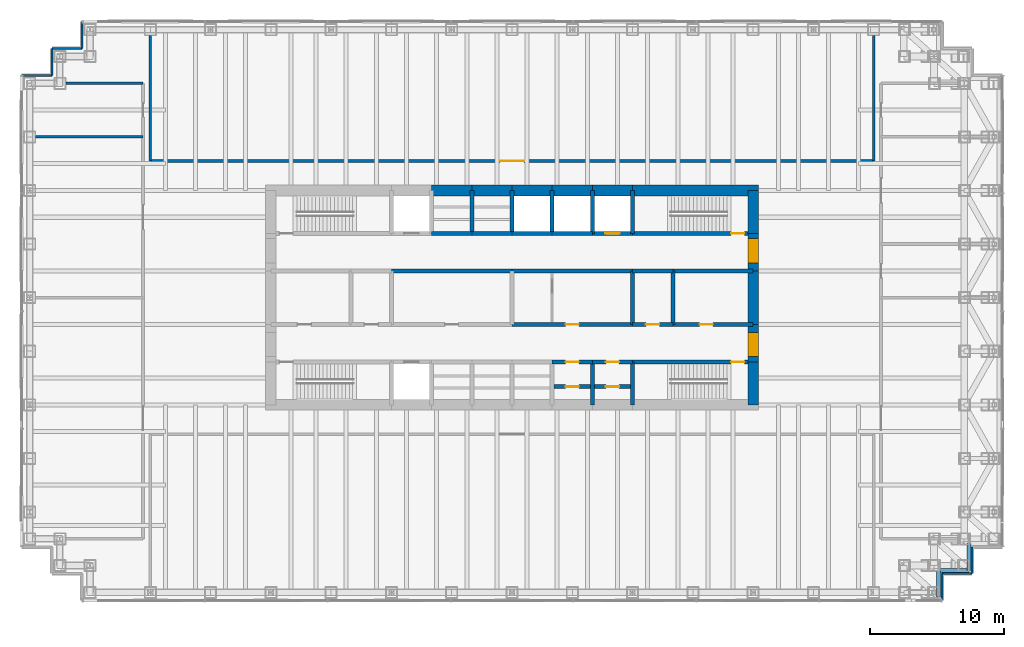
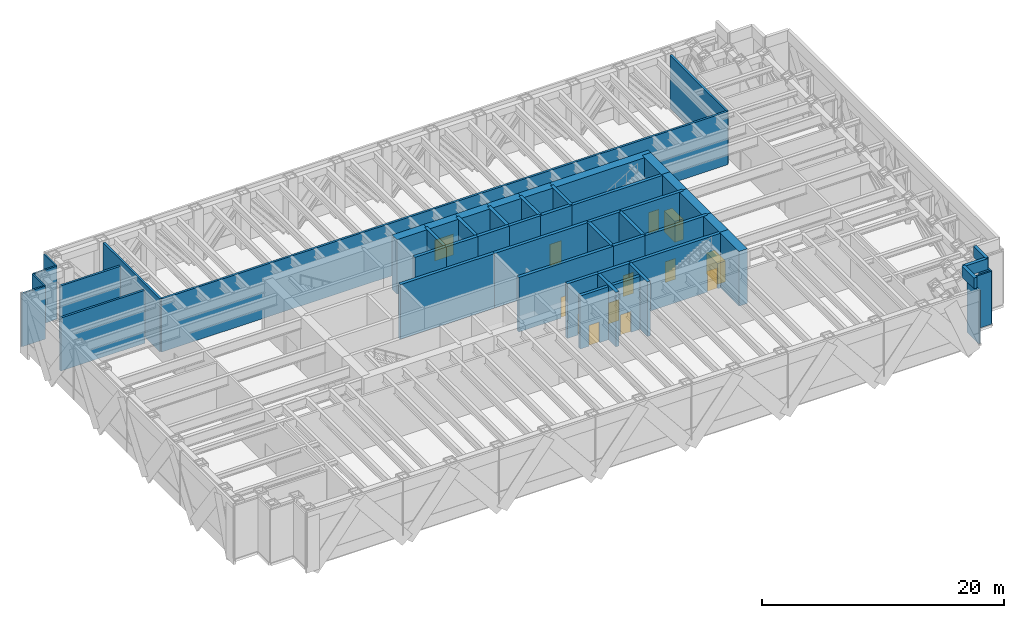
# One storey, part 15 of 17: 53 walls, 13 doors, 13 openings.
"""IFC4 building model written with IfcOpenShell, lengths in metres."""

from ifc_helpers import new_model, si_unit, direction, frame, frame_2d, origin, place, context, subcontext, project, spatial, rectangle, extrude, material, layer, layer_set, type_object, element, fill, save


model = new_model("IFC4")

# Units and contexts
model_context = context("Model", 3, precision=1e-05, world=origin(), true_north=direction((0.0, 1.0)))
body_context = subcontext(model_context, "Body", "Model", "MODEL_VIEW")
ifc_project = project(units=[si_unit("LENGTHUNIT", "METRE"), si_unit("AREAUNIT", "SQUARE_METRE"), si_unit("VOLUMEUNIT", "CUBIC_METRE"), si_unit("PLANEANGLEUNIT", "RADIAN"), si_unit("MASSUNIT", "GRAM", prefix="KILO")], contexts=[model_context])

# Site, building, storey
site_placement = place(None, origin())
site = spatial("IfcSite", under=ifc_project, at=site_placement, CompositionType="ELEMENT")
building_placement = place(site_placement, origin())
building = spatial("IfcBuilding", under=site, at=building_placement, Name="Rheinbord Bourse Tower", CompositionType="ELEMENT")
storey_placement = place(building_placement, frame((0.0, 0.0, 265.60009765625)))
storey = spatial("IfcBuildingStorey", under=building, at=storey_placement, Name="L60", CompositionType="ELEMENT", Elevation=265.60009765625)

# Wall, opening, door
ifc_material_1 = material(Name="Concrete C50/60", Category="concrete")
ifc_layer_1 = layer(ifc_material_1, 0.300048828125)
ifc_layer_set_1 = layer_set([ifc_layer_1], Name="CORE INNER WALL 300")
wall_type_1 = type_object("IfcWallType", Name="CORE INNER WALL 300", PredefinedType="SOLIDWALL", material=ifc_layer_set_1)
wall_1_placement = place(storey_placement, frame((39.0, 19.199951171875, 0.0), z_axis=(0.0, 0.0, 1.0), x_axis=(1.0, 0.0, 0.0)))
wall_1 = element("IfcWall", 1, at=wall_1_placement, inside=storey, type_object=wall_type_1, Name="Core wall A6 L60", PredefinedType="SOLIDWALL", context=body_context, shape_type="SweptSolid", body=[
    extrude(rectangle(XDim=3.0, YDim=0.300048828125, at=frame_2d((1.5, 0.0))), origin(), (0.0, 0.0, 1.0), 5.5),
])
opening_1_placement = place(wall_1_placement, frame((1.0, 0.0, 0.0)))
opening_1 = element("IfcOpeningElement", 2, at=opening_1_placement, cuts=wall_1, Name="Opening 60R8", PredefinedType="OPENING", context=body_context, shape_type="SweptSolid", body=[
    extrude(rectangle(XDim=1.0, YDim=2.10009765625, at=frame_2d((0.5, 1.050048828125))), frame((0.0, 0.159912109375, 0.0), z_axis=(0.0, -1.0, 0.0), x_axis=(1.0, 0.0, 0.0)), (0.0, 0.0, 1.0), 0.320068359375),
])
ifc_material_2 = material(Name="Steel door", Category="steel")
door_type_1 = type_object("IfcDoorType", Name="DOOR 1000 EI30", OperationType="SINGLE_SWING_LEFT", PredefinedType="DOOR", material=ifc_material_2)
door_1_placement = place(opening_1_placement, origin())
door_1 = element("IfcDoor", 3, at=door_1_placement, inside=storey, type_object=door_type_1, Name="Mail room door L60", OperationType="SINGLE_SWING_LEFT", OverallHeight=2.10009765625, OverallWidth=1.0, PredefinedType="DOOR", context=body_context, shape_type="SweptSolid", body=[
    extrude(rectangle(XDim=1.0, YDim=2.10009765625, at=frame_2d((0.5, 1.050048828125))), frame((0.0, 0.02490234375, 0.0), z_axis=(0.0, -1.0, 0.0), x_axis=(1.0, 0.0, 0.0)), (0.0, 0.0, 1.0), 0.050048828125),
])
fill(opening_1, door_1)

wall_2_placement = place(storey_placement, frame((42.0, 19.199951171875, 0.0), z_axis=(0.0, 0.0, 1.0), x_axis=(1.0, 0.0, 0.0)))
wall_2 = element("IfcWall", 4, at=wall_2_placement, inside=storey, type_object=wall_type_1, Name="Core wall A7 L60", PredefinedType="SOLIDWALL", context=body_context, shape_type="SweptSolid", body=[
    extrude(rectangle(XDim=3.0, YDim=0.300048828125, at=frame_2d((1.5, 0.0))), origin(), (0.0, 0.0, 1.0), 5.5),
])
opening_2_placement = place(wall_2_placement, frame((1.0, 0.0, 0.0)))
opening_2 = element("IfcOpeningElement", 5, at=opening_2_placement, cuts=wall_2, Name="Opening 60R9", PredefinedType="OPENING", context=body_context, shape_type="SweptSolid", body=[
    extrude(rectangle(XDim=1.0, YDim=2.10009765625, at=frame_2d((0.5, 1.050048828125))), frame((0.0, 0.159912109375, 0.0), z_axis=(0.0, -1.0, 0.0), x_axis=(1.0, 0.0, 0.0)), (0.0, 0.0, 1.0), 0.320068359375),
])
door_2_placement = place(opening_2_placement, origin())
door_2 = element("IfcDoor", 6, at=door_2_placement, inside=storey, type_object=door_type_1, Name="Stationery store door L60", OperationType="SINGLE_SWING_LEFT", OverallHeight=2.10009765625, OverallWidth=1.0, PredefinedType="DOOR", context=body_context, shape_type="SweptSolid", body=[
    extrude(rectangle(XDim=1.0, YDim=2.10009765625, at=frame_2d((0.5, 1.050048828125))), frame((0.0, 0.02490234375, 0.0), z_axis=(0.0, -1.0, 0.0), x_axis=(1.0, 0.0, 0.0)), (0.0, 0.0, 1.0), 0.050048828125),
])
fill(opening_2, door_2)

wall_3_placement = place(storey_placement, frame((45.0, 19.199951171875, 0.0), z_axis=(0.0, 0.0, 1.0), x_axis=(1.0, 0.0, 0.0)))
wall_3 = element("IfcWall", 7, at=wall_3_placement, inside=storey, type_object=wall_type_1, Name="Core wall A8 L60", PredefinedType="SOLIDWALL", context=body_context, shape_type="SweptSolid", body=[
    extrude(rectangle(XDim=9.0, YDim=0.300048828125, at=frame_2d((4.5, 0.0))), origin(), (0.0, 0.0, 1.0), 5.5),
])
opening_3_placement = place(wall_3_placement, frame((7.35009765625, 0.0, 0.0)))
opening_3 = element("IfcOpeningElement", 8, at=opening_3_placement, cuts=wall_3, Name="Opening 6030", PredefinedType="OPENING", context=body_context, shape_type="SweptSolid", body=[
    extrude(rectangle(XDim=1.0, YDim=2.10009765625, at=frame_2d((0.5, 1.050048828125))), frame((0.0, 0.159912109375, 0.0), z_axis=(0.0, -1.0, 0.0), x_axis=(1.0, 0.0, 0.0)), (0.0, 0.0, 1.0), 0.320068359375),
])
door_3_placement = place(opening_3_placement, origin())
door_3 = element("IfcDoor", 9, at=door_3_placement, inside=storey, type_object=door_type_1, Name="Stair door ST3 L60", OperationType="SINGLE_SWING_RIGHT", OverallHeight=2.10009765625, OverallWidth=1.0, PredefinedType="DOOR", context=body_context, shape_type="SweptSolid", body=[
    extrude(rectangle(XDim=1.0, YDim=2.10009765625, at=frame_2d((0.5, 1.050048828125))), frame((0.0, 0.02490234375, 0.0), z_axis=(0.0, -1.0, 0.0), x_axis=(1.0, 0.0, 0.0)), (0.0, 0.0, 1.0), 0.050048828125),
])
fill(opening_3, door_3)

# Walls
for number, where, z_axis, x_axis, name in (
    (10, (30.0, 28.800048828125, 0.0), (0.0, 0.0, 1.0), (1.0, 0.0, 0.0), "Core wall B3 L60"),
    (11, (33.0, 28.800048828125, 0.0), (0.0, 0.0, 1.0), (1.0, 0.0, 0.0), "Core wall B4 L60"),
    (12, (36.0, 28.800048828125, 0.0), (0.0, 0.0, 1.0), (1.0, 0.0, 0.0), "Core wall B5 L60"),
    (13, (39.0, 28.800048828125, 0.0), (0.0, 0.0, 1.0), (1.0, 0.0, 0.0), "Core wall B6 L60"),
):
    element("IfcWall", number, at=place(storey_placement, frame(where, z_axis=z_axis, x_axis=x_axis)), inside=storey, type_object=wall_type_1, Name=name, PredefinedType="SOLIDWALL", context=body_context, shape_type="SweptSolid", body=[
        extrude(rectangle(XDim=3.0, YDim=0.300048828125, at=frame_2d((1.5, 0.0))), origin(), (0.0, 0.0, 1.0), 5.5),
    ])

# Wall, opening, door
wall_4_placement = place(storey_placement, frame((42.0, 28.800048828125, 0.0), z_axis=(0.0, 0.0, 1.0), x_axis=(1.0, 0.0, 0.0)))
wall_4 = element("IfcWall", 14, at=wall_4_placement, inside=storey, type_object=wall_type_1, Name="Core wall B7 L60", PredefinedType="SOLIDWALL", context=body_context, shape_type="SweptSolid", body=[
    extrude(rectangle(XDim=3.0, YDim=0.300048828125, at=frame_2d((1.5, 0.0))), origin(), (0.0, 0.0, 1.0), 5.5),
])
opening_4_placement = place(wall_4_placement, frame((0.949951171875, 0.0, 0.0)))
opening_4 = element("IfcOpeningElement", 15, at=opening_4_placement, cuts=wall_4, Name="Opening FL2", PredefinedType="OPENING", context=body_context, shape_type="SweptSolid", body=[
    extrude(rectangle(XDim=1.10009765625, YDim=2.199951171875, at=frame_2d((0.550048828125, 1.10009765625))), frame((0.0, 0.159912109375, 0.0), z_axis=(0.0, -1.0, 0.0), x_axis=(1.0, 0.0, 0.0)), (0.0, 0.0, 1.0), 0.320068359375),
])
ifc_material_3 = material(Name="Steel landing door", Category="steel")
door_type_2 = type_object("IfcDoorType", Name="LIFT LANDING DOOR 1100", OperationType="DOUBLE_DOOR_SLIDING", PredefinedType="USERDEFINED", material=ifc_material_3)
door_4_placement = place(opening_4_placement, origin())
door_4 = element("IfcDoor", 16, at=door_4_placement, inside=storey, type_object=door_type_2, Name="Lift landing door FL2 L60", ObjectType="LIFT LANDING DOOR", OperationType="DOUBLE_DOOR_SLIDING", OverallHeight=2.199951171875, OverallWidth=1.10009765625, PredefinedType="USERDEFINED", context=body_context, shape_type="SweptSolid", body=[
    extrude(rectangle(XDim=1.10009765625, YDim=2.199951171875, at=frame_2d((0.550048828125, 1.10009765625))), frame((0.0, 0.02490234375, 0.0), z_axis=(0.0, -1.0, 0.0), x_axis=(1.0, 0.0, 0.0)), (0.0, 0.0, 1.0), 0.050048828125),
])
fill(opening_4, door_4)

wall_5_placement = place(storey_placement, frame((45.0, 28.800048828125, 0.0), z_axis=(0.0, 0.0, 1.0), x_axis=(1.0, 0.0, 0.0)))
wall_5 = element("IfcWall", 17, at=wall_5_placement, inside=storey, type_object=wall_type_1, Name="Core wall B8 L60", PredefinedType="SOLIDWALL", context=body_context, shape_type="SweptSolid", body=[
    extrude(rectangle(XDim=9.0, YDim=0.300048828125, at=frame_2d((4.5, 0.0))), origin(), (0.0, 0.0, 1.0), 5.5),
])
opening_5_placement = place(wall_5_placement, frame((7.35009765625, 0.0, 0.0)))
opening_5 = element("IfcOpeningElement", 18, at=opening_5_placement, cuts=wall_5, Name="Opening 6040", PredefinedType="OPENING", context=body_context, shape_type="SweptSolid", body=[
    extrude(rectangle(XDim=1.0, YDim=2.10009765625, at=frame_2d((0.5, 1.050048828125))), frame((0.0, 0.159912109375, 0.0), z_axis=(0.0, -1.0, 0.0), x_axis=(1.0, 0.0, 0.0)), (0.0, 0.0, 1.0), 0.320068359375),
])
door_5_placement = place(opening_5_placement, origin())
door_5 = element("IfcDoor", 19, at=door_5_placement, inside=storey, type_object=door_type_1, Name="Stair door ST4 L60", OperationType="SINGLE_SWING_RIGHT", OverallHeight=2.10009765625, OverallWidth=1.0, PredefinedType="DOOR", context=body_context, shape_type="SweptSolid", body=[
    extrude(rectangle(XDim=1.0, YDim=2.10009765625, at=frame_2d((0.5, 1.050048828125))), frame((0.0, 0.02490234375, 0.0), z_axis=(0.0, -1.0, 0.0), x_axis=(1.0, 0.0, 0.0)), (0.0, 0.0, 1.0), 0.050048828125),
])
fill(opening_5, door_5)

wall_6_placement = place(storey_placement, frame((36.0, 22.0, 0.0), z_axis=(0.0, 0.0, 1.0), x_axis=(1.0, 0.0, 0.0)))
wall_6 = element("IfcWall", 20, at=wall_6_placement, inside=storey, type_object=wall_type_1, Name="Core wall C4 L60", PredefinedType="SOLIDWALL", context=body_context, shape_type="SweptSolid", body=[
    extrude(rectangle(XDim=9.0, YDim=0.300048828125, at=frame_2d((4.5, 0.0))), origin(), (0.0, 0.0, 1.0), 5.5),
])
opening_6_placement = place(wall_6_placement, frame((4.0, 0.0, 0.0)))
opening_6 = element("IfcOpeningElement", 21, at=opening_6_placement, cuts=wall_6, Name="Opening 60R4", PredefinedType="OPENING", context=body_context, shape_type="SweptSolid", body=[
    extrude(rectangle(XDim=1.0, YDim=2.10009765625, at=frame_2d((0.5, 1.050048828125))), frame((0.0, 0.159912109375, 0.0), z_axis=(0.0, -1.0, 0.0), x_axis=(1.0, 0.0, 0.0)), (0.0, 0.0, 1.0), 0.320068359375),
])
door_6_placement = place(opening_6_placement, origin())
door_6 = element("IfcDoor", 22, at=door_6_placement, inside=storey, type_object=door_type_1, Name="Pantry door L60", OperationType="SINGLE_SWING_LEFT", OverallHeight=2.10009765625, OverallWidth=1.0, PredefinedType="DOOR", context=body_context, shape_type="SweptSolid", body=[
    extrude(rectangle(XDim=1.0, YDim=2.10009765625, at=frame_2d((0.5, 1.050048828125))), frame((0.0, 0.02490234375, 0.0), z_axis=(0.0, -1.0, 0.0), x_axis=(1.0, 0.0, 0.0)), (0.0, 0.0, 1.0), 0.050048828125),
])
fill(opening_6, door_6)

wall_7_placement = place(storey_placement, frame((45.0, 22.0, 0.0), z_axis=(0.0, 0.0, 1.0), x_axis=(1.0, 0.0, 0.0)))
wall_7 = element("IfcWall", 23, at=wall_7_placement, inside=storey, type_object=wall_type_1, Name="Core wall C5 L60", PredefinedType="SOLIDWALL", context=body_context, shape_type="SweptSolid", body=[
    extrude(rectangle(XDim=3.0, YDim=0.300048828125, at=frame_2d((1.5, 0.0))), origin(), (0.0, 0.0, 1.0), 5.5),
])
opening_7_placement = place(wall_7_placement, frame((1.0, 0.0, 0.0)))
opening_7 = element("IfcOpeningElement", 24, at=opening_7_placement, cuts=wall_7, Name="Opening 60R5", PredefinedType="OPENING", context=body_context, shape_type="SweptSolid", body=[
    extrude(rectangle(XDim=1.0, YDim=2.10009765625, at=frame_2d((0.5, 1.050048828125))), frame((0.0, 0.159912109375, 0.0), z_axis=(0.0, -1.0, 0.0), x_axis=(1.0, 0.0, 0.0)), (0.0, 0.0, 1.0), 0.320068359375),
])
ifc_material_4 = material(Name="Timber door", Category="wood")
door_type_3 = type_object("IfcDoorType", Name="DOOR 1000 WC", OperationType="SINGLE_SWING_LEFT", PredefinedType="DOOR", material=ifc_material_4)
door_7_placement = place(opening_7_placement, origin())
door_7 = element("IfcDoor", 25, at=door_7_placement, inside=storey, type_object=door_type_3, Name="Accessible WC door L60", OperationType="SINGLE_SWING_LEFT", OverallHeight=2.10009765625, OverallWidth=1.0, PredefinedType="DOOR", context=body_context, shape_type="SweptSolid", body=[
    extrude(rectangle(XDim=1.0, YDim=2.10009765625, at=frame_2d((0.5, 1.050048828125))), frame((0.0, 0.02490234375, 0.0), z_axis=(0.0, -1.0, 0.0), x_axis=(1.0, 0.0, 0.0)), (0.0, 0.0, 1.0), 0.050048828125),
])
fill(opening_7, door_7)

wall_8_placement = place(storey_placement, frame((48.0, 22.0, 0.0), z_axis=(0.0, 0.0, 1.0), x_axis=(1.0, 0.0, 0.0)))
wall_8 = element("IfcWall", 26, at=wall_8_placement, inside=storey, type_object=wall_type_1, Name="Core wall C6 L60", PredefinedType="SOLIDWALL", context=body_context, shape_type="SweptSolid", body=[
    extrude(rectangle(XDim=6.0, YDim=0.300048828125, at=frame_2d((3.0, 0.0))), origin(), (0.0, 0.0, 1.0), 5.5),
])
opening_8_placement = place(wall_8_placement, frame((2.0, 0.0, 0.0)))
opening_8 = element("IfcOpeningElement", 27, at=opening_8_placement, cuts=wall_8, Name="Opening 60R6", PredefinedType="OPENING", context=body_context, shape_type="SweptSolid", body=[
    extrude(rectangle(XDim=1.0, YDim=2.10009765625, at=frame_2d((0.5, 1.050048828125))), frame((0.0, 0.159912109375, 0.0), z_axis=(0.0, -1.0, 0.0), x_axis=(1.0, 0.0, 0.0)), (0.0, 0.0, 1.0), 0.320068359375),
])
door_8_placement = place(opening_8_placement, origin())
door_8 = element("IfcDoor", 28, at=door_8_placement, inside=storey, type_object=door_type_3, Name="WC women door L60", OperationType="SINGLE_SWING_LEFT", OverallHeight=2.10009765625, OverallWidth=1.0, PredefinedType="DOOR", context=body_context, shape_type="SweptSolid", body=[
    extrude(rectangle(XDim=1.0, YDim=2.10009765625, at=frame_2d((0.5, 1.050048828125))), frame((0.0, 0.02490234375, 0.0), z_axis=(0.0, -1.0, 0.0), x_axis=(1.0, 0.0, 0.0)), (0.0, 0.0, 1.0), 0.050048828125),
])
fill(opening_8, door_8)

# Walls
for number, where, z_axis, x_axis, name in (
    (29, (27.0, 26.0, 0.0), (0.0, 0.0, 1.0), (1.0, 0.0, 0.0), "Core wall D3 L60"),
    (30, (36.0, 26.0, 0.0), (0.0, 0.0, 1.0), (1.0, 0.0, 0.0), "Core wall D4 L60"),
):
    element("IfcWall", number, at=place(storey_placement, frame(where, z_axis=z_axis, x_axis=x_axis)), inside=storey, type_object=wall_type_1, Name=name, PredefinedType="SOLIDWALL", context=body_context, shape_type="SweptSolid", body=[
        extrude(rectangle(XDim=9.0, YDim=0.300048828125, at=frame_2d((4.5, 0.0))), origin(), (0.0, 0.0, 1.0), 5.5),
    ])
wall_9_placement = place(storey_placement, frame((45.0, 26.0, 0.0), z_axis=(0.0, 0.0, 1.0), x_axis=(1.0, 0.0, 0.0)))
element("IfcWall", 31, at=wall_9_placement, inside=storey, type_object=wall_type_1, Name="Core wall D5 L60", PredefinedType="SOLIDWALL", context=body_context, shape_type="SweptSolid", body=[
    extrude(rectangle(XDim=3.0, YDim=0.300048828125, at=frame_2d((1.5, 0.0))), origin(), (0.0, 0.0, 1.0), 5.5),
])
wall_10_placement = place(storey_placement, frame((48.0, 26.0, 0.0), z_axis=(0.0, 0.0, 1.0), x_axis=(1.0, 0.0, 0.0)))
element("IfcWall", 32, at=wall_10_placement, inside=storey, type_object=wall_type_1, Name="Core wall D6 L60", PredefinedType="SOLIDWALL", context=body_context, shape_type="SweptSolid", body=[
    extrude(rectangle(XDim=6.0, YDim=0.300048828125, at=frame_2d((3.0, 0.0))), origin(), (0.0, 0.0, 1.0), 5.5),
])
for number, where, z_axis, x_axis, name in (
    (33, (33.0, 28.800048828125, 0.0), (0.0, 0.0, 1.0), (0.0, 1.0, 0.0), "Core wall NX33 L60"),
    (34, (36.0, 28.800048828125, 0.0), (0.0, 0.0, 1.0), (0.0, 1.0, 0.0), "Core wall NX36 L60"),
    (35, (39.0, 28.800048828125, 0.0), (0.0, 0.0, 1.0), (0.0, 1.0, 0.0), "Core wall NX39 L60"),
    (36, (42.0, 16.0, 0.0), (0.0, 0.0, 1.0), (0.0, 1.0, 0.0), "Core wall SX42 L60"),
    (37, (42.0, 28.800048828125, 0.0), (0.0, 0.0, 1.0), (0.0, 1.0, 0.0), "Core wall NX42 L60"),
    (38, (45.0, 16.0, 0.0), (0.0, 0.0, 1.0), (0.0, 1.0, 0.0), "Core wall SX45 L60"),
    (39, (45.0, 28.800048828125, 0.0), (0.0, 0.0, 1.0), (0.0, 1.0, 0.0), "Core wall NX45 L60"),
):
    element("IfcWall", number, at=place(storey_placement, frame(where, z_axis=z_axis, x_axis=x_axis)), inside=storey, type_object=wall_type_1, Name=name, PredefinedType="SOLIDWALL", context=body_context, shape_type="SweptSolid", body=[
        extrude(rectangle(XDim=3.199951171875, YDim=0.300048828125, at=frame_2d((1.60009765625, 0.0))), origin(), (0.0, 0.0, 1.0), 5.5),
    ])
for number, where, z_axis, x_axis, name in (
    (40, (45.0, 22.0, 0.0), (0.0, 0.0, 1.0), (0.0, 1.0, 0.0), "Core wall MX45 L60"),
    (41, (48.0, 22.0, 0.0), (0.0, 0.0, 1.0), (0.0, 1.0, 0.0), "Core wall MX48 L60"),
):
    element("IfcWall", number, at=place(storey_placement, frame(where, z_axis=z_axis, x_axis=x_axis)), inside=storey, type_object=wall_type_1, Name=name, PredefinedType="SOLIDWALL", context=body_context, shape_type="SweptSolid", body=[
        extrude(rectangle(XDim=4.0, YDim=0.300048828125, at=frame_2d((2.0, 0.0))), origin(), (0.0, 0.0, 1.0), 5.5),
    ])

# Wall, opening, door
wall_11_placement = place(storey_placement, frame((39.14990234375, 17.35009765625, 0.0), z_axis=(0.0, 0.0, 1.0), x_axis=(1.0, 0.0, 0.0)))
wall_11 = element("IfcWall", 42, at=wall_11_placement, inside=storey, type_object=wall_type_1, Name="Core riser wall L60-6", PredefinedType="SOLIDWALL", context=body_context, shape_type="SweptSolid", body=[
    extrude(rectangle(XDim=2.7001953125, YDim=0.300048828125, at=frame_2d((1.35009765625, 0.0))), origin(), (0.0, 0.0, 1.0), 5.33984375),
])
opening_9_placement = place(wall_11_placement, frame((0.85009765625, 0.0, 0.0)))
opening_9 = element("IfcOpeningElement", 43, at=opening_9_placement, cuts=wall_11, Name="Opening 60R12", PredefinedType="OPENING", context=body_context, shape_type="SweptSolid", body=[
    extrude(rectangle(XDim=1.0, YDim=2.10009765625, at=frame_2d((0.5, 1.050048828125))), frame((0.0, 0.159912109375, 0.0), z_axis=(0.0, -1.0, 0.0), x_axis=(1.0, 0.0, 0.0)), (0.0, 0.0, 1.0), 0.320068359375),
])
door_9_placement = place(opening_9_placement, origin())
door_9 = element("IfcDoor", 44, at=door_9_placement, inside=storey, type_object=door_type_1, Name="Comms riser door L60", OperationType="SINGLE_SWING_LEFT", OverallHeight=2.10009765625, OverallWidth=1.0, PredefinedType="DOOR", context=body_context, shape_type="SweptSolid", body=[
    extrude(rectangle(XDim=1.0, YDim=2.10009765625, at=frame_2d((0.5, 1.050048828125))), frame((0.0, 0.02490234375, 0.0), z_axis=(0.0, -1.0, 0.0), x_axis=(1.0, 0.0, 0.0)), (0.0, 0.0, 1.0), 0.050048828125),
])
fill(opening_9, door_9)

wall_12_placement = place(storey_placement, frame((42.14990234375, 17.35009765625, 0.0), z_axis=(0.0, 0.0, 1.0), x_axis=(1.0, 0.0, 0.0)))
wall_12 = element("IfcWall", 45, at=wall_12_placement, inside=storey, type_object=wall_type_1, Name="Core riser wall L60-7", PredefinedType="SOLIDWALL", context=body_context, shape_type="SweptSolid", body=[
    extrude(rectangle(XDim=2.7001953125, YDim=0.300048828125, at=frame_2d((1.35009765625, 0.0))), origin(), (0.0, 0.0, 1.0), 5.33984375),
])
opening_10_placement = place(wall_12_placement, frame((0.85009765625, 0.0, 0.0)))
opening_10 = element("IfcOpeningElement", 46, at=opening_10_placement, cuts=wall_12, Name="Opening 60R13", PredefinedType="OPENING", context=body_context, shape_type="SweptSolid", body=[
    extrude(rectangle(XDim=1.0, YDim=2.10009765625, at=frame_2d((0.5, 1.050048828125))), frame((0.0, 0.159912109375, 0.0), z_axis=(0.0, -1.0, 0.0), x_axis=(1.0, 0.0, 0.0)), (0.0, 0.0, 1.0), 0.320068359375),
])
door_10_placement = place(opening_10_placement, origin())
door_10 = element("IfcDoor", 47, at=door_10_placement, inside=storey, type_object=door_type_1, Name="Electrical riser door L60", OperationType="SINGLE_SWING_LEFT", OverallHeight=2.10009765625, OverallWidth=1.0, PredefinedType="DOOR", context=body_context, shape_type="SweptSolid", body=[
    extrude(rectangle(XDim=1.0, YDim=2.10009765625, at=frame_2d((0.5, 1.050048828125))), frame((0.0, 0.02490234375, 0.0), z_axis=(0.0, -1.0, 0.0), x_axis=(1.0, 0.0, 0.0)), (0.0, 0.0, 1.0), 0.050048828125),
])
fill(opening_10, door_10)

# Walls
ifc_material_5 = material(Name="Concrete C50/60", Category="concrete")
ifc_layer_2 = layer(ifc_material_5, 0.800048828125)
ifc_layer_set_2 = layer_set([ifc_layer_2], Name="CORE WALL 800")
wall_type_2 = type_object("IfcWallType", Name="CORE WALL 800", PredefinedType="SHEAR", material=ifc_layer_set_2)
wall_13_placement = place(storey_placement, frame((54.39990234375, 32.0, 0.0), z_axis=(0.0, 0.0, 1.0), x_axis=(-1.0, 0.0, 0.0)))
element("IfcWall", 48, at=wall_13_placement, inside=storey, type_object=wall_type_2, Name="Core wall N1 L60", PredefinedType="SHEAR", context=body_context, shape_type="SweptSolid", body=[
    extrude(rectangle(XDim=9.39990234375, YDim=0.800048828125, at=frame_2d((4.699951171875, 0.0))), origin(), (0.0, 0.0, 1.0), 5.5),
])
for number, where, z_axis, x_axis, name in (
    (49, (45.0, 32.0, 0.0), (0.0, 0.0, 1.0), (-1.0, 0.0, 0.0), "Core wall N2 L60"),
    (50, (42.0, 32.0, 0.0), (0.0, 0.0, 1.0), (-1.0, 0.0, 0.0), "Core wall N3 L60"),
    (51, (39.0, 32.0, 0.0), (0.0, 0.0, 1.0), (-1.0, 0.0, 0.0), "Core wall N4 L60"),
    (52, (36.0, 32.0, 0.0), (0.0, 0.0, 1.0), (-1.0, 0.0, 0.0), "Core wall N5 L60"),
    (53, (33.0, 32.0, 0.0), (0.0, 0.0, 1.0), (-1.0, 0.0, 0.0), "Core wall N6 L60"),
):
    element("IfcWall", number, at=place(storey_placement, frame(where, z_axis=z_axis, x_axis=x_axis)), inside=storey, type_object=wall_type_2, Name=name, PredefinedType="SHEAR", context=body_context, shape_type="SweptSolid", body=[
        extrude(rectangle(XDim=3.0, YDim=0.800048828125, at=frame_2d((1.5, 0.0))), origin(), (0.0, 0.0, 1.0), 5.5),
    ])
wall_14_placement = place(storey_placement, frame((54.0, 16.0, 0.0), z_axis=(0.0, 0.0, 1.0), x_axis=(0.0, 1.0, 0.0)))
element("IfcWall", 54, at=wall_14_placement, inside=storey, type_object=wall_type_2, Name="Core wall E1 L60", PredefinedType="SHEAR", context=body_context, shape_type="SweptSolid", body=[
    extrude(rectangle(XDim=3.199951171875, YDim=0.800048828125, at=frame_2d((1.60009765625, 0.0))), origin(), (0.0, 0.0, 1.0), 5.5),
])

# Wall, opening, door
wall_15_placement = place(storey_placement, frame((54.0, 19.199951171875, 0.0), z_axis=(0.0, 0.0, 1.0), x_axis=(0.0, 1.0, 0.0)))
wall_15 = element("IfcWall", 55, at=wall_15_placement, inside=storey, type_object=wall_type_2, Name="Core wall E2 L60", PredefinedType="SHEAR", context=body_context, shape_type="SweptSolid", body=[
    extrude(rectangle(XDim=2.800048828125, YDim=0.800048828125, at=frame_2d((1.39990234375, 0.0))), origin(), (0.0, 0.0, 1.0), 5.5),
])
opening_11_placement = place(wall_15_placement, frame((0.39990234375, 0.0, 0.0)))
opening_11 = element("IfcOpeningElement", 56, at=opening_11_placement, cuts=wall_15, Name="Opening 60L3", PredefinedType="OPENING", context=body_context, shape_type="SweptSolid", body=[
    extrude(rectangle(XDim=1.800048828125, YDim=2.10009765625, at=frame_2d((0.89990234375, 1.050048828125))), frame((0.0, 0.409912109375, 0.0), z_axis=(0.0, -1.0, 0.0), x_axis=(1.0, 0.0, 0.0)), (0.0, 0.0, 1.0), 0.820068359375),
])
ifc_material_6 = material(Name="Steel door", Category="steel")
door_type_4 = type_object("IfcDoorType", Name="DOOR 1800 EI30 DOUBLE", OperationType="DOUBLE_DOOR_DOUBLE_SWING", PredefinedType="DOOR", material=ifc_material_6)
door_11_placement = place(opening_11_placement, origin())
door_11 = element("IfcDoor", 57, at=door_11_placement, inside=storey, type_object=door_type_4, Name="Lobby door 3 L60", OperationType="SINGLE_SWING_LEFT", OverallHeight=2.10009765625, OverallWidth=1.800048828125, PredefinedType="DOOR", context=body_context, shape_type="SweptSolid", body=[
    extrude(rectangle(XDim=1.800048828125, YDim=2.10009765625, at=frame_2d((0.89990234375, 1.050048828125))), frame((0.0, 0.39990234375, 0.0), z_axis=(0.0, -1.0, 0.0), x_axis=(1.0, 0.0, 0.0)), (0.0, 0.0, 1.0), 0.799560546875),
])
fill(opening_11, door_11)

# Wall
wall_16_placement = place(storey_placement, frame((54.0, 22.0, 0.0), z_axis=(0.0, 0.0, 1.0), x_axis=(0.0, 1.0, 0.0)))
element("IfcWall", 58, at=wall_16_placement, inside=storey, type_object=wall_type_2, Name="Core wall E3 L60", PredefinedType="SHEAR", context=body_context, shape_type="SweptSolid", body=[
    extrude(rectangle(XDim=4.0, YDim=0.800048828125, at=frame_2d((2.0, 0.0))), origin(), (0.0, 0.0, 1.0), 5.5),
])

# Wall, opening, door
wall_17_placement = place(storey_placement, frame((54.0, 26.0, 0.0), z_axis=(0.0, 0.0, 1.0), x_axis=(0.0, 1.0, 0.0)))
wall_17 = element("IfcWall", 59, at=wall_17_placement, inside=storey, type_object=wall_type_2, Name="Core wall E4 L60", PredefinedType="SHEAR", context=body_context, shape_type="SweptSolid", body=[
    extrude(rectangle(XDim=2.800048828125, YDim=0.800048828125, at=frame_2d((1.39990234375, 0.0))), origin(), (0.0, 0.0, 1.0), 5.5),
])
opening_12_placement = place(wall_17_placement, frame((0.60009765625, 0.0, 0.0)))
opening_12 = element("IfcOpeningElement", 60, at=opening_12_placement, cuts=wall_17, Name="Opening 60L4", PredefinedType="OPENING", context=body_context, shape_type="SweptSolid", body=[
    extrude(rectangle(XDim=1.800048828125, YDim=2.10009765625, at=frame_2d((0.89990234375, 1.050048828125))), frame((0.0, 0.409912109375, 0.0), z_axis=(0.0, -1.0, 0.0), x_axis=(1.0, 0.0, 0.0)), (0.0, 0.0, 1.0), 0.820068359375),
])
door_12_placement = place(opening_12_placement, origin())
door_12 = element("IfcDoor", 61, at=door_12_placement, inside=storey, type_object=door_type_4, Name="Lobby door 4 L60", OperationType="SINGLE_SWING_LEFT", OverallHeight=2.10009765625, OverallWidth=1.800048828125, PredefinedType="DOOR", context=body_context, shape_type="SweptSolid", body=[
    extrude(rectangle(XDim=1.800048828125, YDim=2.10009765625, at=frame_2d((0.89990234375, 1.050048828125))), frame((0.0, 0.39990234375, 0.0), z_axis=(0.0, -1.0, 0.0), x_axis=(1.0, 0.0, 0.0)), (0.0, 0.0, 1.0), 0.799560546875),
])
fill(opening_12, door_12)

# Walls
wall_18_placement = place(storey_placement, frame((54.0, 28.800048828125, 0.0), z_axis=(0.0, 0.0, 1.0), x_axis=(0.0, 1.0, 0.0)))
element("IfcWall", 62, at=wall_18_placement, inside=storey, type_object=wall_type_2, Name="Core wall E5 L60", PredefinedType="SHEAR", context=body_context, shape_type="SweptSolid", body=[
    extrude(rectangle(XDim=3.199951171875, YDim=0.800048828125, at=frame_2d((1.60009765625, 0.0))), origin(), (0.0, 0.0, 1.0), 5.5),
])
ifc_material_7 = material(Name="Black metal rainscreen panel", Category="aluminium")
ifc_layer_3 = layer(ifc_material_7, 0.14990234375)
ifc_layer_set_3 = layer_set([ifc_layer_3], Name="CORNER PIER CLADDING 150")
wall_type_3 = type_object("IfcWallType", Name="CORNER PIER CLADDING 150", PredefinedType="ELEMENTEDWALL", material=ifc_layer_set_3)
wall_19_placement = place(storey_placement, frame((68.10009765625, 1.39990234375, 0.0), z_axis=(0.0, 0.0, 1.0), x_axis=(0.0, 1.0, 0.0)))
element("IfcWall", 63, at=wall_19_placement, inside=storey, type_object=wall_type_3, Name="Corner pier cladding L60 2", PredefinedType="ELEMENTEDWALL", context=body_context, shape_type="SweptSolid", body=[
    extrude(rectangle(XDim=2.0, YDim=0.14990234375, at=frame_2d((1.0, 0.0))), origin(), (0.0, 0.0, 1.0), 5.33984375),
])
wall_20_placement = place(storey_placement, frame((68.10009765625, 3.39990234375, 0.0), z_axis=(0.0, 0.0, 1.0), x_axis=(1.0, 0.0, 0.0)))
element("IfcWall", 64, at=wall_20_placement, inside=storey, type_object=wall_type_3, Name="Corner pier cladding L60 3", PredefinedType="ELEMENTEDWALL", context=body_context, shape_type="SweptSolid", body=[
    extrude(rectangle(XDim=2.25, YDim=0.14990234375, at=frame_2d((1.125, 0.0))), origin(), (0.0, 0.0, 1.0), 5.33984375),
])
for number, where, z_axis, x_axis, name in (
    (65, (70.35009765625, 3.39990234375, 0.0), (0.0, 0.0, 1.0), (0.0, 1.0, 0.0), "Corner pier cladding L60 4"),
    (66, (3.89990234375, 44.60009765625, 0.0), (0.0, 0.0, 1.0), (0.0, -1.0, 0.0), "Corner pier cladding L60 12"),
):
    element("IfcWall", number, at=place(storey_placement, frame(where, z_axis=z_axis, x_axis=x_axis)), inside=storey, type_object=wall_type_3, Name=name, PredefinedType="ELEMENTEDWALL", context=body_context, shape_type="SweptSolid", body=[
        extrude(rectangle(XDim=2.0, YDim=0.14990234375, at=frame_2d((1.0, 0.0))), origin(), (0.0, 0.0, 1.0), 5.33984375),
    ])
wall_21_placement = place(storey_placement, frame((3.89990234375, 42.60009765625, 0.0), z_axis=(0.0, 0.0, 1.0), x_axis=(-1.0, 0.0, 0.0)))
element("IfcWall", 67, at=wall_21_placement, inside=storey, type_object=wall_type_3, Name="Corner pier cladding L60 13", PredefinedType="ELEMENTEDWALL", context=body_context, shape_type="SweptSolid", body=[
    extrude(rectangle(XDim=2.25, YDim=0.14990234375, at=frame_2d((1.125, 0.0))), origin(), (0.0, 0.0, 1.0), 5.33984375),
])
wall_22_placement = place(storey_placement, frame((1.64990234375, 42.60009765625, 0.0), z_axis=(0.0, 0.0, 1.0), x_axis=(0.0, -1.0, 0.0)))
element("IfcWall", 68, at=wall_22_placement, inside=storey, type_object=wall_type_3, Name="Corner pier cladding L60 14", PredefinedType="ELEMENTEDWALL", context=body_context, shape_type="SweptSolid", body=[
    extrude(rectangle(XDim=2.0, YDim=0.14990234375, at=frame_2d((1.0, 0.0))), origin(), (0.0, 0.0, 1.0), 5.33984375),
])
wall_23_placement = place(storey_placement, frame((1.64990234375, 40.60009765625, 0.0), z_axis=(0.0, 0.0, 1.0), x_axis=(-1.0, 0.0, 0.0)))
element("IfcWall", 69, at=wall_23_placement, inside=storey, type_object=wall_type_3, Name="Corner pier cladding L60 15", PredefinedType="ELEMENTEDWALL", context=body_context, shape_type="SweptSolid", body=[
    extrude(rectangle(XDim=2.25, YDim=0.14990234375, at=frame_2d((1.125, 0.0))), origin(), (0.0, 0.0, 1.0), 5.33984375),
])
ifc_material_8 = material(Name="Concrete C30/37", Category="concrete")
ifc_layer_4 = layer(ifc_material_8, 0.300048828125)
ifc_layer_set_4 = layer_set([ifc_layer_4], Name="PARAPET 300")
wall_type_4 = type_object("IfcWallType", Name="PARAPET 300", PredefinedType="PARAPET", material=ifc_layer_set_4)
wall_24_placement = place(storey_placement, frame((67.85009765625, 1.64990234375, 5.5), z_axis=(0.0, 0.0, 1.0), x_axis=(0.0, 1.0, 0.0)))
element("IfcWall", 70, at=wall_24_placement, inside=storey, type_object=wall_type_4, Name="Setback parapet L61 1", PredefinedType="PARAPET", context=body_context, shape_type="SweptSolid", body=[
    extrude(rectangle(XDim=2.0, YDim=0.300048828125, at=frame_2d((1.0, 0.0))), origin(), (0.0, 0.0, 1.0), 1.099853515625),
])
wall_25_placement = place(storey_placement, frame((67.85009765625, 3.64990234375, 5.5), z_axis=(0.0, 0.0, 1.0), x_axis=(1.0, 0.0, 0.0)))
element("IfcWall", 71, at=wall_25_placement, inside=storey, type_object=wall_type_4, Name="Setback parapet L61 2", PredefinedType="PARAPET", context=body_context, shape_type="SweptSolid", body=[
    extrude(rectangle(XDim=2.25, YDim=0.300048828125, at=frame_2d((1.125, 0.0))), origin(), (0.0, 0.0, 1.0), 1.099853515625),
])
wall_26_placement = place(storey_placement, frame((70.10009765625, 3.64990234375, 5.5), z_axis=(0.0, 0.0, 1.0), x_axis=(0.0, 1.0, 0.0)))
element("IfcWall", 72, at=wall_26_placement, inside=storey, type_object=wall_type_4, Name="Setback parapet L61 3", PredefinedType="PARAPET", context=body_context, shape_type="SweptSolid", body=[
    extrude(rectangle(XDim=2.0, YDim=0.300048828125, at=frame_2d((1.0, 0.0))), origin(), (0.0, 0.0, 1.0), 1.099853515625),
])

# Wall, opening, door
ifc_material_9 = material(Name="Concrete block plant room wall", Category="concrete")
ifc_layer_5 = layer(ifc_material_9, 0.199951171875)
ifc_layer_set_5 = layer_set([ifc_layer_5], Name="PLANT ROOM PARTITION 200 EI90")
wall_type_5 = type_object("IfcWallType", Name="PLANT ROOM PARTITION 200 EI90", PredefinedType="PARTITIONING", material=ifc_layer_set_5)
wall_27_placement = place(storey_placement, frame((9.0, 34.199951171875, 0.0), z_axis=(0.0, 0.0, 1.0), x_axis=(1.0, 0.0, 0.0)))
wall_27 = element("IfcWall", 73, at=wall_27_placement, inside=storey, type_object=wall_type_5, Name="Partition L60-07", PredefinedType="PARTITIONING", context=body_context, shape_type="SweptSolid", body=[
    extrude(rectangle(XDim=54.0, YDim=0.199951171875, at=frame_2d((27.0, 0.0))), origin(), (0.0, 0.0, 1.0), 5.33984375),
])
opening_13_placement = place(wall_27_placement, frame((26.10009765625, 0.0, 0.0)))
opening_13 = element("IfcOpeningElement", 74, at=opening_13_placement, cuts=wall_27, Name="Opening 60P09", PredefinedType="OPENING", context=body_context, shape_type="SweptSolid", body=[
    extrude(rectangle(XDim=1.800048828125, YDim=2.10009765625, at=frame_2d((0.89990234375, 1.050048828125))), frame((0.0, 0.10986328125, 0.0), z_axis=(0.0, -1.0, 0.0), x_axis=(1.0, 0.0, 0.0)), (0.0, 0.0, 1.0), 0.219970703125),
])
ifc_material_10 = material(Name="Steel fire door", Category="steel")
door_type_5 = type_object("IfcDoorType", Name="PLANT ROOM DOUBLE DOOR 1800 EI60", OperationType="DOUBLE_DOOR_DOUBLE_SWING", PredefinedType="DOOR", material=ifc_material_10)
door_13_placement = place(opening_13_placement, origin())
door_13 = element("IfcDoor", 75, at=door_13_placement, inside=storey, type_object=door_type_5, Name="Refuge area door L60", OperationType="SINGLE_SWING_LEFT", OverallHeight=2.10009765625, OverallWidth=1.800048828125, PredefinedType="DOOR", context=body_context, shape_type="SweptSolid", body=[
    extrude(rectangle(XDim=1.800048828125, YDim=2.10009765625, at=frame_2d((0.89990234375, 1.050048828125))), frame((0.0, 0.02490234375, 0.0), z_axis=(0.0, -1.0, 0.0), x_axis=(1.0, 0.0, 0.0)), (0.0, 0.0, 1.0), 0.050048828125),
])
fill(opening_13, door_13)

# Walls
wall_28_placement = place(storey_placement, frame((0.449951171875, 36.0, 0.0), z_axis=(0.0, 0.0, 1.0), x_axis=(1.0, 0.0, 0.0)))
element("IfcWall", 76, at=wall_28_placement, inside=storey, type_object=wall_type_5, Name="Partition L60-08", PredefinedType="PARTITIONING", context=body_context, shape_type="SweptSolid", body=[
    extrude(rectangle(XDim=8.0, YDim=0.199951171875, at=frame_2d((4.0, 0.0))), origin(), (0.0, 0.0, 1.0), 5.33984375),
])
wall_29_placement = place(storey_placement, frame((2.699951171875, 40.0, 0.0), z_axis=(0.0, 0.0, 1.0), x_axis=(1.0, 0.0, 0.0)))
element("IfcWall", 77, at=wall_29_placement, inside=storey, type_object=wall_type_5, Name="Partition L60-10", PredefinedType="PARTITIONING", context=body_context, shape_type="SweptSolid", body=[
    extrude(rectangle(XDim=5.75, YDim=0.199951171875, at=frame_2d((2.875, 0.0))), origin(), (0.0, 0.0, 1.0), 5.33984375),
])
for number, where, z_axis, x_axis, name in (
    (78, (9.0, 34.199951171875, 0.0), (0.0, 0.0, 1.0), (0.0, 1.0, 0.0), "Partition L60-14"),
    (79, (63.0, 34.199951171875, 0.0), (0.0, 0.0, 1.0), (0.0, 1.0, 0.0), "Partition L60-16"),
):
    element("IfcWall", number, at=place(storey_placement, frame(where, z_axis=z_axis, x_axis=x_axis)), inside=storey, type_object=wall_type_5, Name=name, PredefinedType="PARTITIONING", context=body_context, shape_type="SweptSolid", body=[
        extrude(rectangle(XDim=9.35009765625, YDim=0.199951171875, at=frame_2d((4.675048828125, 0.0))), origin(), (0.0, 0.0, 1.0), 5.33984375),
    ])

save(model, "model.ifc")
